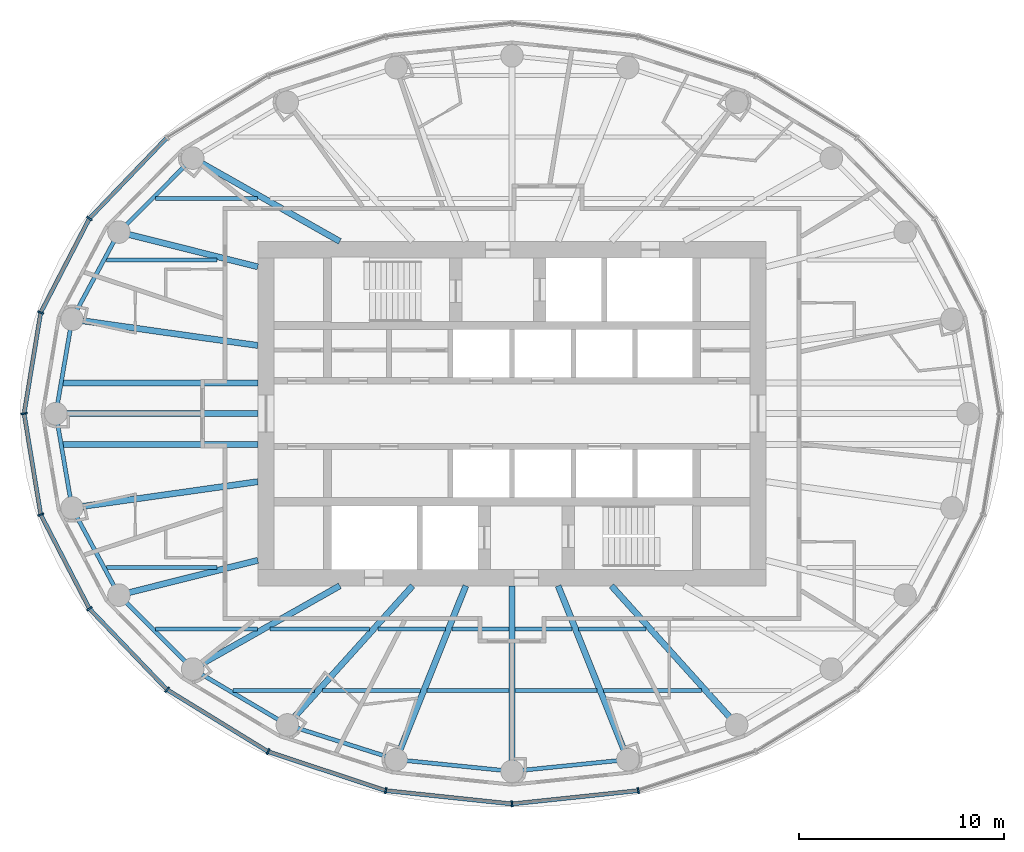
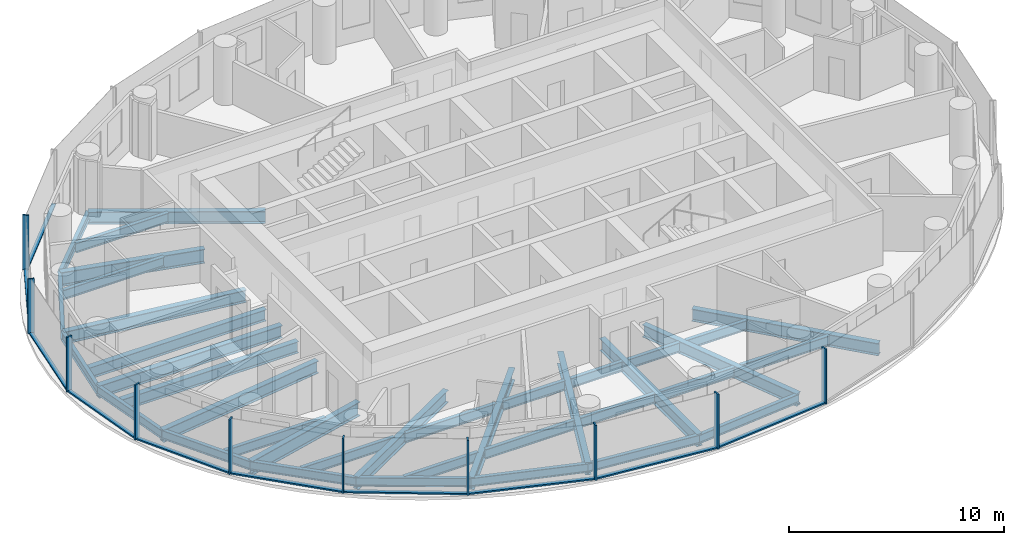
# One storey, part 2 of 13: 38 beams, 20 members, 3 elements without a shape of their own.
"""IFC4 building model written with IfcOpenShell, lengths in metres."""

from ifc_helpers import new_model, si_unit, direction, frame, origin, origin_2d, place, context, subcontext, project, spatial, rectangle, i_section, extrude, material, material_profile, profile_set, type_object, element, aggregate, save


model = new_model("IFC4")

# Units and contexts
model_context = context("Model", 3, precision=1e-05, world=origin(), true_north=direction((0.0, 1.0)))
body_context = subcontext(model_context, "Body", "Model", "MODEL_VIEW")
ifc_project = project(units=[si_unit("LENGTHUNIT", "METRE"), si_unit("AREAUNIT", "SQUARE_METRE"), si_unit("VOLUMEUNIT", "CUBIC_METRE"), si_unit("PLANEANGLEUNIT", "RADIAN"), si_unit("MASSUNIT", "GRAM", prefix="KILO")], contexts=[model_context])

# Site, building, storey
site_placement = place(None, origin())
site = spatial("IfcSite", under=ifc_project, at=site_placement, CompositionType="ELEMENT")
building_placement = place(site_placement, origin())
building = spatial("IfcBuilding", under=site, at=building_placement, Name="Hankou Lantern Tower", CompositionType="ELEMENT")
storey_placement = place(building_placement, frame((0.0, 0.0, 156.60009765625)))
storey = spatial("IfcBuildingStorey", under=building, at=storey_placement, Name="L41", CompositionType="ELEMENT", Elevation=156.60009765625)

# Beams
ifc_material_1 = material(Name="Steel Q355B", Category="steel")
ifc_material_profile_1 = material_profile(ifc_material_1, i_section(OverallWidth=0.199951171875, OverallDepth=0.5, WebThickness=0.010009765625, FlangeThickness=0.01611328125, FilletRadius=0.012939453125, at=origin_2d()), Name="HN500x200x10x16")
ifc_profile_set_1 = profile_set([ifc_material_profile_1], Name="Steel Q355B")
beam_type_1 = type_object("IfcBeamType", Name="EB5 RING BEAM HN500x200x10x16", PredefinedType="SPANDREL", material=ifc_profile_set_1)
beam_1_placement = place(storey_placement, frame((-15.576171875, 12.4609375, -0.43017578125), z_axis=(-0.706147278092, -0.708064984054, 0.0), x_axis=(0.708064984054, -0.706147278092, 0.0)))
element("IfcBeam", 1, at=beam_1_placement, inside=storey, type_object=beam_type_1, Name="Ring beam R10-R11 L41", PredefinedType="SPANDREL", context=body_context, shape_type="SweptSolid", body=[
    extrude(i_section(OverallWidth=0.199951171875, OverallDepth=0.5, WebThickness=0.010009765625, FlangeThickness=0.01611328125, FilletRadius=0.012939453125, at=origin_2d()), origin(), (0.0, 0.0, 1.0), 5.09228515625),
])
beam_2_placement = place(storey_placement, frame((-19.172119140625, 8.855224609375, -0.43017578125), z_axis=(-0.474051612334, -0.880497057828, 0.0), x_axis=(0.880497057828, -0.474051612334, 0.0)))
element("IfcBeam", 2, at=beam_2_placement, inside=storey, type_object=beam_type_1, Name="Ring beam R11-R12 L41", PredefinedType="SPANDREL", context=body_context, shape_type="SweptSolid", body=[
    extrude(i_section(OverallWidth=0.199951171875, OverallDepth=0.5, WebThickness=0.010009765625, FlangeThickness=0.01611328125, FilletRadius=0.012939453125, at=origin_2d()), origin(), (0.0, 0.0, 1.0), 4.831787109375),
])
for number, where, z_axis, x_axis, name in (
    (3, (-21.462646484375, 4.600830078125, -0.43017578125), (-0.168680718946, -0.985670743735, 0.0), (0.985670743735, -0.168680718946, 0.0), "Ring beam R12-R13 L41"),
    (4, (-22.25, 0.0, -0.43017578125), (0.168680718946, -0.985670743735, 0.0), (0.985670743735, 0.168680718946, 0.0), "Ring beam R13-R14 L41"),
):
    element("IfcBeam", number, at=place(storey_placement, frame(where, z_axis=z_axis, x_axis=x_axis)), inside=storey, type_object=beam_type_1, Name=name, PredefinedType="SPANDREL", context=body_context, shape_type="SweptSolid", body=[
        extrude(i_section(OverallWidth=0.199951171875, OverallDepth=0.5, WebThickness=0.010009765625, FlangeThickness=0.01611328125, FilletRadius=0.012939453125, at=origin_2d()), origin(), (0.0, 0.0, 1.0), 4.667724609375),
    ])
beam_3_placement = place(storey_placement, frame((-21.462646484375, -4.600830078125, -0.43017578125), z_axis=(0.474051612334, -0.880497057828, 0.0), x_axis=(0.880497057828, 0.474051612334, 0.0)))
element("IfcBeam", 5, at=beam_3_placement, inside=storey, type_object=beam_type_1, Name="Ring beam R14-R15 L41", PredefinedType="SPANDREL", context=body_context, shape_type="SweptSolid", body=[
    extrude(i_section(OverallWidth=0.199951171875, OverallDepth=0.5, WebThickness=0.010009765625, FlangeThickness=0.01611328125, FilletRadius=0.012939453125, at=origin_2d()), origin(), (0.0, 0.0, 1.0), 4.831787109375),
])
beam_4_placement = place(storey_placement, frame((-19.172119140625, -8.855224609375, -0.43017578125), z_axis=(0.706147278092, -0.708064984054, 0.0), x_axis=(0.708064984054, 0.706147278092, 0.0)))
element("IfcBeam", 6, at=beam_4_placement, inside=storey, type_object=beam_type_1, Name="Ring beam R15-R16 L41", PredefinedType="SPANDREL", context=body_context, shape_type="SweptSolid", body=[
    extrude(i_section(OverallWidth=0.199951171875, OverallDepth=0.5, WebThickness=0.010009765625, FlangeThickness=0.01611328125, FilletRadius=0.012939453125, at=origin_2d()), origin(), (0.0, 0.0, 1.0), 5.09228515625),
])
beam_5_placement = place(storey_placement, frame((-15.576171875, -12.4609375, -0.43017578125), z_axis=(0.861135888339, -0.508374843806, 0.0), x_axis=(0.508374843806, 0.861135888339, 0.0)))
element("IfcBeam", 7, at=beam_5_placement, inside=storey, type_object=beam_type_1, Name="Ring beam R16-R17 L41", PredefinedType="SPANDREL", context=body_context, shape_type="SweptSolid", body=[
    extrude(i_section(OverallWidth=0.199951171875, OverallDepth=0.5, WebThickness=0.010009765625, FlangeThickness=0.01611328125, FilletRadius=0.012939453125, at=origin_2d()), origin(), (0.0, 0.0, 1.0), 5.36083984375),
])
beam_6_placement = place(storey_placement, frame((-10.959716796875, -15.186279296875, -0.43017578125), z_axis=(0.952790404271, -0.30362879562, 0.0), x_axis=(0.30362879562, 0.952790404271, 0.0)))
element("IfcBeam", 8, at=beam_6_placement, inside=storey, type_object=beam_type_1, Name="Ring beam R17-R18 L41", PredefinedType="SPANDREL", context=body_context, shape_type="SweptSolid", body=[
    extrude(i_section(OverallWidth=0.199951171875, OverallDepth=0.5, WebThickness=0.010009765625, FlangeThickness=0.01611328125, FilletRadius=0.012939453125, at=origin_2d()), origin(), (0.0, 0.0, 1.0), 5.56982421875),
])
for number, where, z_axis, x_axis, name in (
    (9, (-5.65283203125, -16.87744140625, -0.43017578125), (0.9949104636, -0.100762936734, 0.0), (0.100762936734, 0.9949104636, 0.0), "Ring beam R18-R19 L41"),
    (10, (0.0, -17.449951171875, -0.43017578125), (0.9949104636, 0.100762936734, 0.0), (-0.100762936734, 0.9949104636, 0.0), "Ring beam R19-R20 L41"),
):
    element("IfcBeam", number, at=place(storey_placement, frame(where, z_axis=z_axis, x_axis=x_axis)), inside=storey, type_object=beam_type_1, Name=name, PredefinedType="SPANDREL", context=body_context, shape_type="SweptSolid", body=[
        extrude(i_section(OverallWidth=0.199951171875, OverallDepth=0.5, WebThickness=0.010009765625, FlangeThickness=0.01611328125, FilletRadius=0.012939453125, at=origin_2d()), origin(), (0.0, 0.0, 1.0), 5.681640625),
    ])

# Curtain wall, members
ifc_material_2 = material(Name="Glass, dark grey tinted laminated", Category="glass")
curtain_wall_type = type_object("IfcCurtainWallType", Name="CWC OUTER SKIN HIGH-RISE", PredefinedType="USERDEFINED", material=ifc_material_2)
curtain_wall_1_placement = place(storey_placement, origin())
curtain_wall_1 = element("IfcCurtainWall", 11, at=curtain_wall_1_placement, inside=storey, type_object=curtain_wall_type, Name="CWC L41 OS2", ObjectType="OUTER SKIN HIGH-RISE", PredefinedType="USERDEFINED")
ifc_material_3 = material(Name="Aluminium, black anodised", Category="aluminium")
ifc_material_profile_2 = material_profile(ifc_material_3, rectangle(XDim=0.080078125, YDim=0.300048828125, at=origin_2d()), Name="MU1 80X300")
ifc_profile_set_2 = profile_set([ifc_material_profile_2], Name="Aluminium, black anodised")
member_type_1 = type_object("IfcMemberType", Name="MU1 OUTER SKIN MULLION 80X300", PredefinedType="MULLION", material=ifc_profile_set_2)
member_1_placement = place(storey_placement, frame((-20.611328125, 9.52001953125, 0.0), z_axis=(0.0, 0.0, 1.0), x_axis=(-0.585205735974, -0.810884854084, 0.0)))
member_1 = element("IfcMember", 12, at=member_1_placement, type_object=member_type_1, Name="CWC mullion 5", PredefinedType="MULLION", context=body_context, shape_type="SweptSolid", body=[
    extrude(rectangle(XDim=0.080078125, YDim=0.300048828125, at=origin_2d()), origin(), (0.0, 0.0, 1.0), 3.119873046875),
])
member_2_placement = place(storey_placement, frame((-22.989013671875, 4.927978515625, 0.0), z_axis=(0.0, 0.0, 1.0), x_axis=(-0.317595577365, -0.94822626479, 0.0)))
member_2 = element("IfcMember", 13, at=member_2_placement, type_object=member_type_1, Name="CWC mullion 6", PredefinedType="MULLION", context=body_context, shape_type="SweptSolid", body=[
    extrude(rectangle(XDim=0.080078125, YDim=0.300048828125, at=origin_2d()), origin(), (0.0, 0.0, 1.0), 3.119873046875),
])

curtain_wall_2_placement = place(storey_placement, origin())
curtain_wall_2 = element("IfcCurtainWall", 14, at=curtain_wall_2_placement, inside=storey, type_object=curtain_wall_type, Name="CWC L41 OS3", ObjectType="OUTER SKIN HIGH-RISE", PredefinedType="USERDEFINED")
member_3_placement = place(storey_placement, frame((-23.800048828125, 0.0, 0.0), z_axis=(0.0, 0.0, 1.0), x_axis=(0.162381515188, -0.986728049427, 0.0)))
member_3 = element("IfcMember", 15, at=member_3_placement, type_object=member_type_1, Name="CWC mullion 1", PredefinedType="MULLION", context=body_context, shape_type="SweptSolid", body=[
    extrude(rectangle(XDim=0.080078125, YDim=0.300048828125, at=origin_2d()), origin(), (0.0, 0.0, 1.0), 3.119873046875),
])
member_4_placement = place(storey_placement, frame((-22.989013671875, -4.927978515625, 0.0), z_axis=(0.0, 0.0, 1.0), x_axis=(0.317595577365, -0.94822626479, 0.0)))
member_4 = element("IfcMember", 16, at=member_4_placement, type_object=member_type_1, Name="CWC mullion 2", PredefinedType="MULLION", context=body_context, shape_type="SweptSolid", body=[
    extrude(rectangle(XDim=0.080078125, YDim=0.300048828125, at=origin_2d()), origin(), (0.0, 0.0, 1.0), 3.119873046875),
])
member_5_placement = place(storey_placement, frame((-20.611328125, -9.52001953125, 0.0), z_axis=(0.0, 0.0, 1.0), x_axis=(0.585205735974, -0.810884854084, 0.0)))
member_5 = element("IfcMember", 17, at=member_5_placement, type_object=member_type_1, Name="CWC mullion 3", PredefinedType="MULLION", context=body_context, shape_type="SweptSolid", body=[
    extrude(rectangle(XDim=0.080078125, YDim=0.300048828125, at=origin_2d()), origin(), (0.0, 0.0, 1.0), 3.119873046875),
])
member_6_placement = place(storey_placement, frame((-16.8291015625, -13.46337890625, 0.0), z_axis=(0.0, 0.0, 1.0), x_axis=(0.780868809444, -0.624695047553, 0.0)))
member_6 = element("IfcMember", 18, at=member_6_placement, type_object=member_type_1, Name="CWC mullion 4", PredefinedType="MULLION", context=body_context, shape_type="SweptSolid", body=[
    extrude(rectangle(XDim=0.080078125, YDim=0.300048828125, at=origin_2d()), origin(), (0.0, 0.0, 1.0), 3.119873046875),
])
member_7_placement = place(storey_placement, frame((-11.89990234375, -16.489013671875, 0.0), z_axis=(0.0, 0.0, 1.0), x_axis=(0.907841299004, -0.419313934686, 0.0)))
member_7 = element("IfcMember", 19, at=member_7_placement, type_object=member_type_1, Name="CWC mullion 5", PredefinedType="MULLION", context=body_context, shape_type="SweptSolid", body=[
    extrude(rectangle(XDim=0.080078125, YDim=0.300048828125, at=origin_2d()), origin(), (0.0, 0.0, 1.0), 3.119873046875),
])
member_8_placement = place(storey_placement, frame((-6.159912109375, -18.39111328125, 0.0), z_axis=(0.0, 0.0, 1.0), x_axis=(0.977787659625, -0.209597931016, 0.0)))
member_8 = element("IfcMember", 20, at=member_8_placement, type_object=member_type_1, Name="CWC mullion 6", PredefinedType="MULLION", context=body_context, shape_type="SweptSolid", body=[
    extrude(rectangle(XDim=0.080078125, YDim=0.300048828125, at=origin_2d()), origin(), (0.0, 0.0, 1.0), 3.119873046875),
])

curtain_wall_3_placement = place(storey_placement, origin())
curtain_wall_3 = element("IfcCurtainWall", 21, at=curtain_wall_3_placement, inside=storey, type_object=curtain_wall_type, Name="CWC L41 OS4", ObjectType="OUTER SKIN HIGH-RISE", PredefinedType="USERDEFINED")
member_9_placement = place(storey_placement, frame((0.0, -19.0400390625, 0.0), z_axis=(0.0, 0.0, 1.0), x_axis=(0.994499359107, 0.104742659579, 0.0)))
member_9 = element("IfcMember", 22, at=member_9_placement, type_object=member_type_1, Name="CWC mullion 1", PredefinedType="MULLION", context=body_context, shape_type="SweptSolid", body=[
    extrude(rectangle(XDim=0.080078125, YDim=0.300048828125, at=origin_2d()), origin(), (0.0, 0.0, 1.0), 3.119873046875),
])
member_10_placement = place(storey_placement, frame((6.159912109375, -18.39111328125, 0.0), z_axis=(0.0, 0.0, 1.0), x_axis=(0.977787659625, 0.209597931016, 0.0)))
member_10 = element("IfcMember", 23, at=member_10_placement, type_object=member_type_1, Name="CWC mullion 2", PredefinedType="MULLION", context=body_context, shape_type="SweptSolid", body=[
    extrude(rectangle(XDim=0.080078125, YDim=0.300048828125, at=origin_2d()), origin(), (0.0, 0.0, 1.0), 3.119873046875),
])

# Beams
ifc_material_4 = material(Name="Steel Q355B", Category="steel")
ifc_material_profile_3 = material_profile(ifc_material_4, i_section(OverallWidth=0.300048828125, OverallDepth=0.800048828125, WebThickness=0.013916015625, FlangeThickness=0.02587890625, FilletRadius=0.01806640625, at=origin_2d()), Name="HN800x300x14x26")
ifc_profile_set_3 = profile_set([ifc_material_profile_3], Name="Steel Q355B")
beam_type_2 = type_object("IfcBeamType", Name="RB11 RADIAL BEAM HN800x300x14x26", PredefinedType="BEAM", material=ifc_profile_set_3)
for number, where, z_axis, x_axis, name in (
    (24, (-12.39990234375, 7.1591796875, -0.580078125), (-0.970041619568, 0.242938791274, 0.0), (-0.242938791274, -0.970041619568, 0.0), "Radial beam R11 L41"),
    (25, (-12.39990234375, -7.1591796875, -0.580078125), (-0.970041619568, -0.242938791274, 0.0), (0.242938791274, -0.970041619568, 0.0), "Radial beam R15 L41"),
):
    element("IfcBeam", number, at=place(storey_placement, frame(where, z_axis=z_axis, x_axis=x_axis)), inside=storey, type_object=beam_type_2, Name=name, PredefinedType="BEAM", context=body_context, shape_type="SweptSolid", body=[
        extrude(i_section(OverallWidth=0.300048828125, OverallDepth=0.800048828125, WebThickness=0.013916015625, FlangeThickness=0.02587890625, FilletRadius=0.01806640625, at=origin_2d()), origin(), (0.0, 0.0, 1.0), 6.9814453125),
    ])
ifc_material_5 = material(Name="Steel Q355B", Category="steel")
ifc_material_profile_4 = material_profile(ifc_material_5, i_section(OverallWidth=0.300048828125, OverallDepth=0.699951171875, WebThickness=0.012939453125, FlangeThickness=0.02392578125, FilletRadius=0.01806640625, at=origin_2d()), Name="HN700x300x13x24")
ifc_profile_set_4 = profile_set([ifc_material_profile_4], Name="Steel Q355B")
beam_type_3 = type_object("IfcBeamType", Name="RB9 RADIAL BEAM HN700x300x13x24", PredefinedType="BEAM", material=ifc_profile_set_4)
beam_7_placement = place(storey_placement, frame((-8.39990234375, 8.39990234375, -0.530029296875), z_axis=(-0.870309058024, 0.492505983234, 0.0), x_axis=(-0.492505983234, -0.870309058024, 0.0)))
element("IfcBeam", 26, at=beam_7_placement, inside=storey, type_object=beam_type_3, Name="Radial beam R10 L41", PredefinedType="BEAM", context=body_context, shape_type="SweptSolid", body=[
    extrude(i_section(OverallWidth=0.300048828125, OverallDepth=0.699951171875, WebThickness=0.012939453125, FlangeThickness=0.02392578125, FilletRadius=0.01806640625, at=origin_2d()), origin(), (0.0, 0.0, 1.0), 8.24560546875),
])
beam_8_placement = place(storey_placement, frame((-12.39990234375, 3.322509765625, -0.530029296875), z_axis=(-0.990198154617, 0.13966966239, 0.0), x_axis=(-0.13966966239, -0.990198154617, 0.0)))
element("IfcBeam", 27, at=beam_8_placement, inside=storey, type_object=beam_type_3, Name="Radial beam R12 L41", PredefinedType="BEAM", context=body_context, shape_type="SweptSolid", body=[
    extrude(i_section(OverallWidth=0.300048828125, OverallDepth=0.699951171875, WebThickness=0.012939453125, FlangeThickness=0.02392578125, FilletRadius=0.01806640625, at=origin_2d()), origin(), (0.0, 0.0, 1.0), 9.15234375),
])
beam_9_placement = place(storey_placement, frame((-12.39990234375, 0.0, -0.530029296875), z_axis=(-1.0, 0.0, 0.0), x_axis=(0.0, -1.0, 0.0)))
element("IfcBeam", 28, at=beam_9_placement, inside=storey, type_object=beam_type_3, Name="Radial beam R13 L41", PredefinedType="BEAM", context=body_context, shape_type="SweptSolid", body=[
    extrude(i_section(OverallWidth=0.300048828125, OverallDepth=0.699951171875, WebThickness=0.012939453125, FlangeThickness=0.02392578125, FilletRadius=0.01806640625, at=origin_2d()), origin(), (0.0, 0.0, 1.0), 9.85009765625),
])
beam_10_placement = place(storey_placement, frame((-12.39990234375, -3.322509765625, -0.530029296875), z_axis=(-0.990198154617, -0.13966966239, 0.0), x_axis=(0.13966966239, -0.990198154617, 0.0)))
element("IfcBeam", 29, at=beam_10_placement, inside=storey, type_object=beam_type_3, Name="Radial beam R14 L41", PredefinedType="BEAM", context=body_context, shape_type="SweptSolid", body=[
    extrude(i_section(OverallWidth=0.300048828125, OverallDepth=0.699951171875, WebThickness=0.012939453125, FlangeThickness=0.02392578125, FilletRadius=0.01806640625, at=origin_2d()), origin(), (0.0, 0.0, 1.0), 9.15234375),
])
beam_11_placement = place(storey_placement, frame((-8.39990234375, -8.39990234375, -0.530029296875), z_axis=(-0.870309058024, -0.492505983234, 0.0), x_axis=(0.492505983234, -0.870309058024, 0.0)))
element("IfcBeam", 30, at=beam_11_placement, inside=storey, type_object=beam_type_3, Name="Radial beam R16 L41", PredefinedType="BEAM", context=body_context, shape_type="SweptSolid", body=[
    extrude(i_section(OverallWidth=0.300048828125, OverallDepth=0.699951171875, WebThickness=0.012939453125, FlangeThickness=0.02392578125, FilletRadius=0.01806640625, at=origin_2d()), origin(), (0.0, 0.0, 1.0), 8.24560546875),
])
beam_12_placement = place(storey_placement, frame((-4.849853515625, -8.39990234375, -0.530029296875), z_axis=(-0.669093231314, -0.743178476418, 0.0), x_axis=(0.743178476418, -0.669093231314, 0.0)))
element("IfcBeam", 31, at=beam_12_placement, inside=storey, type_object=beam_type_3, Name="Radial beam R17 L41", PredefinedType="BEAM", context=body_context, shape_type="SweptSolid", body=[
    extrude(i_section(OverallWidth=0.300048828125, OverallDepth=0.699951171875, WebThickness=0.012939453125, FlangeThickness=0.02392578125, FilletRadius=0.01806640625, at=origin_2d()), origin(), (0.0, 0.0, 1.0), 9.131591796875),
])
beam_13_placement = place(storey_placement, frame((-2.250732421875, -8.39990234375, -0.530029296875), z_axis=(-0.372436468133, -0.928057690666, 0.0), x_axis=(0.928057690666, -0.372436468133, 0.0)))
element("IfcBeam", 32, at=beam_13_placement, inside=storey, type_object=beam_type_3, Name="Radial beam R18 L41", PredefinedType="BEAM", context=body_context, shape_type="SweptSolid", body=[
    extrude(i_section(OverallWidth=0.300048828125, OverallDepth=0.699951171875, WebThickness=0.012939453125, FlangeThickness=0.02392578125, FilletRadius=0.01806640625, at=origin_2d()), origin(), (0.0, 0.0, 1.0), 9.134765625),
])
beam_14_placement = place(storey_placement, frame((0.0, -8.39990234375, -0.530029296875), z_axis=(0.0, -1.0, 0.0), x_axis=(1.0, 0.0, 0.0)))
element("IfcBeam", 33, at=beam_14_placement, inside=storey, type_object=beam_type_3, Name="Radial beam R19 L41", PredefinedType="BEAM", context=body_context, shape_type="SweptSolid", body=[
    extrude(i_section(OverallWidth=0.300048828125, OverallDepth=0.699951171875, WebThickness=0.012939453125, FlangeThickness=0.02392578125, FilletRadius=0.01806640625, at=origin_2d()), origin(), (0.0, 0.0, 1.0), 9.050048828125),
])
beam_15_placement = place(storey_placement, frame((2.250732421875, -8.39990234375, -0.530029296875), z_axis=(0.372436468133, -0.928057690666, 0.0), x_axis=(0.928057690666, 0.372436468133, 0.0)))
element("IfcBeam", 34, at=beam_15_placement, inside=storey, type_object=beam_type_3, Name="Radial beam R20 L41", PredefinedType="BEAM", context=body_context, shape_type="SweptSolid", body=[
    extrude(i_section(OverallWidth=0.300048828125, OverallDepth=0.699951171875, WebThickness=0.012939453125, FlangeThickness=0.02392578125, FilletRadius=0.01806640625, at=origin_2d()), origin(), (0.0, 0.0, 1.0), 9.134765625),
])
beam_16_placement = place(storey_placement, frame((4.849853515625, -8.39990234375, -0.530029296875), z_axis=(0.669093231314, -0.743178476418, 0.0), x_axis=(0.743178476418, 0.669093231314, 0.0)))
element("IfcBeam", 35, at=beam_16_placement, inside=storey, type_object=beam_type_3, Name="Radial beam R21 L41", PredefinedType="BEAM", context=body_context, shape_type="SweptSolid", body=[
    extrude(i_section(OverallWidth=0.300048828125, OverallDepth=0.699951171875, WebThickness=0.012939453125, FlangeThickness=0.02392578125, FilletRadius=0.01806640625, at=origin_2d()), origin(), (0.0, 0.0, 1.0), 9.131591796875),
])
ifc_material_6 = material(Name="Steel Q355B", Category="steel")
ifc_material_profile_5 = material_profile(ifc_material_6, i_section(OverallWidth=0.199951171875, OverallDepth=0.550048828125, WebThickness=0.010009765625, FlangeThickness=0.01611328125, FilletRadius=0.012939453125, at=origin_2d()), Name="HN550x200x10x16")
ifc_profile_set_5 = profile_set([ifc_material_profile_5], Name="Steel Q355B")
beam_type_4 = type_object("IfcBeamType", Name="SB6 SECONDARY BEAM HN550x200x10x16", PredefinedType="JOIST", material=ifc_profile_set_5)
beam_17_placement = place(storey_placement, frame((-13.619384765625, -13.5, -0.455078125), z_axis=(1.0, 0.0, 0.0), x_axis=(0.0, 1.0, 0.0)))
element("IfcBeam", 36, at=beam_17_placement, inside=storey, type_object=beam_type_4, Name="Floor joist J001 L41", PredefinedType="JOIST", context=body_context, shape_type="SweptSolid", body=[
    extrude(i_section(OverallWidth=0.199951171875, OverallDepth=0.550048828125, WebThickness=0.010009765625, FlangeThickness=0.01611328125, FilletRadius=0.012939453125, at=origin_2d()), origin(), (0.0, 0.0, 1.0), 3.97607421875),
])
beam_18_placement = place(storey_placement, frame((-9.23974609375, -13.5, -0.455078125), z_axis=(1.0, 0.0, 0.0), x_axis=(0.0, 1.0, 0.0)))
element("IfcBeam", 37, at=beam_18_placement, inside=storey, type_object=beam_type_4, Name="Floor joist J002 L41", PredefinedType="JOIST", context=body_context, shape_type="SweptSolid", body=[
    extrude(i_section(OverallWidth=0.199951171875, OverallDepth=0.550048828125, WebThickness=0.010009765625, FlangeThickness=0.01611328125, FilletRadius=0.012939453125, at=origin_2d()), origin(), (0.0, 0.0, 1.0), 4.780517578125),
])
for number, where, z_axis, x_axis, name in (
    (38, (-4.135986328125, -13.5, -0.455078125), (1.0, 0.0, 0.0), (0.0, 1.0, 0.0), "Floor joist J003 L41"),
    (39, (0.14990234375, -13.5, -0.455078125), (1.0, 0.0, 0.0), (0.0, 1.0, 0.0), "Floor joist J004 L41"),
):
    element("IfcBeam", number, at=place(storey_placement, frame(where, z_axis=z_axis, x_axis=x_axis)), inside=storey, type_object=beam_type_4, Name=name, PredefinedType="JOIST", context=body_context, shape_type="SweptSolid", body=[
        extrude(i_section(OverallWidth=0.199951171875, OverallDepth=0.550048828125, WebThickness=0.010009765625, FlangeThickness=0.01611328125, FilletRadius=0.012939453125, at=origin_2d()), origin(), (0.0, 0.0, 1.0), 3.986083984375),
    ])
beam_19_placement = place(storey_placement, frame((4.459228515625, -13.5, -0.455078125), z_axis=(1.0, 0.0, 0.0), x_axis=(0.0, 1.0, 0.0)))
element("IfcBeam", 40, at=beam_19_placement, inside=storey, type_object=beam_type_4, Name="Floor joist J005 L41", PredefinedType="JOIST", context=body_context, shape_type="SweptSolid", body=[
    extrude(i_section(OverallWidth=0.199951171875, OverallDepth=0.550048828125, WebThickness=0.010009765625, FlangeThickness=0.01611328125, FilletRadius=0.012939453125, at=origin_2d()), origin(), (0.0, 0.0, 1.0), 4.780517578125),
])
beam_20_placement = place(storey_placement, frame((-17.390625, -10.5, -0.455078125), z_axis=(1.0, 0.0, 0.0), x_axis=(0.0, 1.0, 0.0)))
element("IfcBeam", 41, at=beam_20_placement, inside=storey, type_object=beam_type_4, Name="Floor joist J007 L41", PredefinedType="JOIST", context=body_context, shape_type="SweptSolid", body=[
    extrude(i_section(OverallWidth=0.199951171875, OverallDepth=0.550048828125, WebThickness=0.010009765625, FlangeThickness=0.01611328125, FilletRadius=0.012939453125, at=origin_2d()), origin(), (0.0, 0.0, 1.0), 4.97509765625),
])
beam_21_placement = place(storey_placement, frame((-11.806396484375, -10.5, -0.455078125), z_axis=(1.0, 0.0, 0.0), x_axis=(0.0, 1.0, 0.0)))
element("IfcBeam", 42, at=beam_21_placement, inside=storey, type_object=beam_type_4, Name="Floor joist J008 L41", PredefinedType="JOIST", context=body_context, shape_type="SweptSolid", body=[
    extrude(i_section(OverallWidth=0.199951171875, OverallDepth=0.550048828125, WebThickness=0.010009765625, FlangeThickness=0.01611328125, FilletRadius=0.012939453125, at=origin_2d()), origin(), (0.0, 0.0, 1.0), 4.864013671875),
])
beam_22_placement = place(storey_placement, frame((-6.53857421875, -10.5, -0.455078125), z_axis=(1.0, 0.0, 0.0), x_axis=(0.0, 1.0, 0.0)))
element("IfcBeam", 43, at=beam_22_placement, inside=storey, type_object=beam_type_4, Name="Floor joist J009 L41", PredefinedType="JOIST", context=body_context, shape_type="SweptSolid", body=[
    extrude(i_section(OverallWidth=0.199951171875, OverallDepth=0.550048828125, WebThickness=0.010009765625, FlangeThickness=0.01611328125, FilletRadius=0.012939453125, at=origin_2d()), origin(), (0.0, 0.0, 1.0), 3.283447265625),
])
for number, where, z_axis, x_axis, name in (
    (44, (-2.931884765625, -10.5, -0.455078125), (1.0, 0.0, 0.0), (0.0, 1.0, 0.0), "Floor joist J010 L41"),
    (45, (0.14990234375, -10.5, -0.455078125), (1.0, 0.0, 0.0), (0.0, 1.0, 0.0), "Floor joist J011 L41"),
):
    element("IfcBeam", number, at=place(storey_placement, frame(where, z_axis=z_axis, x_axis=x_axis)), inside=storey, type_object=beam_type_4, Name=name, PredefinedType="JOIST", context=body_context, shape_type="SweptSolid", body=[
        extrude(i_section(OverallWidth=0.199951171875, OverallDepth=0.550048828125, WebThickness=0.010009765625, FlangeThickness=0.01611328125, FilletRadius=0.012939453125, at=origin_2d()), origin(), (0.0, 0.0, 1.0), 2.781982421875),
    ])
beam_23_placement = place(storey_placement, frame((3.255126953125, -10.5, -0.455078125), z_axis=(1.0, 0.0, 0.0), x_axis=(0.0, 1.0, 0.0)))
element("IfcBeam", 46, at=beam_23_placement, inside=storey, type_object=beam_type_4, Name="Floor joist J012 L41", PredefinedType="JOIST", context=body_context, shape_type="SweptSolid", body=[
    extrude(i_section(OverallWidth=0.199951171875, OverallDepth=0.550048828125, WebThickness=0.010009765625, FlangeThickness=0.01611328125, FilletRadius=0.012939453125, at=origin_2d()), origin(), (0.0, 0.0, 1.0), 3.283447265625),
])
for number, where, z_axis, x_axis, name in (
    (47, (-19.788330078125, -7.5, -0.455078125), (1.0, 0.0, 0.0), (0.0, 1.0, 0.0), "Floor joist J015 L41"),
    (48, (-19.788330078125, 7.5, -0.455078125), (1.0, 0.0, 0.0), (0.0, 1.0, 0.0), "Floor joist J025 L41"),
):
    element("IfcBeam", number, at=place(storey_placement, frame(where, z_axis=z_axis, x_axis=x_axis)), inside=storey, type_object=beam_type_4, Name=name, PredefinedType="JOIST", context=body_context, shape_type="SweptSolid", body=[
        extrude(i_section(OverallWidth=0.199951171875, OverallDepth=0.550048828125, WebThickness=0.010009765625, FlangeThickness=0.01611328125, FilletRadius=0.012939453125, at=origin_2d()), origin(), (0.0, 0.0, 1.0), 5.409912109375),
    ])
beam_24_placement = place(storey_placement, frame((-17.390625, 10.5, -0.455078125), z_axis=(1.0, 0.0, 0.0), x_axis=(0.0, 1.0, 0.0)))
element("IfcBeam", 49, at=beam_24_placement, inside=storey, type_object=beam_type_4, Name="Floor joist J027 L41", PredefinedType="JOIST", context=body_context, shape_type="SweptSolid", body=[
    extrude(i_section(OverallWidth=0.199951171875, OverallDepth=0.550048828125, WebThickness=0.010009765625, FlangeThickness=0.01611328125, FilletRadius=0.012939453125, at=origin_2d()), origin(), (0.0, 0.0, 1.0), 4.97509765625),
])
ifc_material_7 = material(Name="Steel Q355B", Category="steel")
ifc_material_profile_6 = material_profile(ifc_material_7, i_section(OverallWidth=0.300048828125, OverallDepth=0.64990234375, WebThickness=0.010986328125, FlangeThickness=0.01708984375, FilletRadius=0.01806640625, at=origin_2d()), Name="HN650x300x11x17")
ifc_profile_set_6 = profile_set([ifc_material_profile_6], Name="Steel Q355B")
beam_type_5 = type_object("IfcBeamType", Name="SB8 SECONDARY BEAM HN650x300x11x17", PredefinedType="JOIST", material=ifc_profile_set_6)
for number, where, z_axis, x_axis, name in (
    (50, (-21.891845703125, -1.5, -0.505126953125), (1.0, 0.0, 0.0), (0.0, 1.0, 0.0), "Floor joist J019 L41"),
    (51, (-21.891845703125, 1.5, -0.505126953125), (1.0, 0.0, 0.0), (0.0, 1.0, 0.0), "Floor joist J021 L41"),
):
    element("IfcBeam", number, at=place(storey_placement, frame(where, z_axis=z_axis, x_axis=x_axis)), inside=storey, type_object=beam_type_5, Name=name, PredefinedType="JOIST", context=body_context, shape_type="SweptSolid", body=[
        extrude(i_section(OverallWidth=0.300048828125, OverallDepth=0.64990234375, WebThickness=0.010986328125, FlangeThickness=0.01708984375, FilletRadius=0.01806640625, at=origin_2d()), origin(), (0.0, 0.0, 1.0), 9.491943359375),
    ])

# Member
ifc_material_8 = material(Name="Aluminium, black anodised", Category="aluminium")
ifc_material_profile_7 = material_profile(ifc_material_8, rectangle(XDim=0.199951171875, YDim=0.080078125, at=origin_2d()), Name="TR1 200X80")
ifc_profile_set_7 = profile_set([ifc_material_profile_7], Name="Aluminium, black anodised")
member_type_2 = type_object("IfcMemberType", Name="TR1 OUTER SKIN TRANSOM 200X80", PredefinedType="USERDEFINED", material=ifc_profile_set_7)
member_11_placement = place(storey_placement, frame((-16.85693359375, 13.434326171875, 0.039794921875), z_axis=(-0.692215543831, -0.721690820836, 0.0), x_axis=(0.721690820836, -0.692215543831, 0.0)))
member_11 = element("IfcMember", 52, at=member_11_placement, type_object=member_type_2, Name="CWC transom 4", ObjectType="TRANSOM", PredefinedType="USERDEFINED", context=body_context, shape_type="SweptSolid", body=[
    extrude(rectangle(XDim=0.199951171875, YDim=0.080078125, at=origin_2d()), origin(), (0.0, 0.0, 1.0), 5.3837890625),
])

member_12_placement = place(storey_placement, frame((-20.6298828125, 9.484375, 0.039794921875), z_axis=(-0.459790772977, -0.888027277219, 0.0), x_axis=(0.888027277219, -0.459790772977, 0.0)))
member_12 = element("IfcMember", 53, at=member_12_placement, type_object=member_type_2, Name="CWC transom 5", ObjectType="TRANSOM", PredefinedType="USERDEFINED", context=body_context, shape_type="SweptSolid", body=[
    extrude(rectangle(XDim=0.199951171875, YDim=0.080078125, at=origin_2d()), origin(), (0.0, 0.0, 1.0), 5.091064453125),
])

member_13_placement = place(storey_placement, frame((-22.99560546875, 4.888427734375, 0.039794921875), z_axis=(-0.162360337061, -0.986731534385, 0.0), x_axis=(0.986731534385, -0.162360337061, 0.0)))
member_13 = element("IfcMember", 54, at=member_13_placement, type_object=member_type_2, Name="CWC transom 6", ObjectType="TRANSOM", PredefinedType="USERDEFINED", context=body_context, shape_type="SweptSolid", body=[
    extrude(rectangle(XDim=0.199951171875, YDim=0.080078125, at=origin_2d()), origin(), (0.0, 0.0, 1.0), 4.9140625),
])

aggregate(curtain_wall_1, [member_1, member_2, member_11, member_12, member_13])

member_14_placement = place(storey_placement, frame((-23.79345703125, -0.03955078125, 0.039794921875), z_axis=(0.162360337061, -0.986731534385, 0.0), x_axis=(0.986731534385, 0.162360337061, 0.0)))
member_14 = element("IfcMember", 55, at=member_14_placement, type_object=member_type_2, Name="CWC transom 1", ObjectType="TRANSOM", PredefinedType="USERDEFINED", context=body_context, shape_type="SweptSolid", body=[
    extrude(rectangle(XDim=0.199951171875, YDim=0.080078125, at=origin_2d()), origin(), (0.0, 0.0, 1.0), 4.9140625),
])

member_15_placement = place(storey_placement, frame((-22.970703125, -4.96337890625, 0.039794921875), z_axis=(0.459790772977, -0.888027277219, 0.0), x_axis=(0.888027277219, 0.459790772977, 0.0)))
member_15 = element("IfcMember", 56, at=member_15_placement, type_object=member_type_2, Name="CWC transom 2", ObjectType="TRANSOM", PredefinedType="USERDEFINED", context=body_context, shape_type="SweptSolid", body=[
    extrude(rectangle(XDim=0.199951171875, YDim=0.080078125, at=origin_2d()), origin(), (0.0, 0.0, 1.0), 5.091064453125),
])

member_16_placement = place(storey_placement, frame((-20.583740234375, -9.548828125, 0.039794921875), z_axis=(0.692215543831, -0.721690820836, 0.0), x_axis=(0.721690820836, 0.692215543831, 0.0)))
member_16 = element("IfcMember", 57, at=member_16_placement, type_object=member_type_2, Name="CWC transom 3", ObjectType="TRANSOM", PredefinedType="USERDEFINED", context=body_context, shape_type="SweptSolid", body=[
    extrude(rectangle(XDim=0.199951171875, YDim=0.080078125, at=origin_2d()), origin(), (0.0, 0.0, 1.0), 5.3837890625),
])

member_17_placement = place(storey_placement, frame((-16.795166015625, -13.484130859375, 0.039794921875), z_axis=(0.852229482357, -0.523168146394, 0.0), x_axis=(0.523168146394, 0.852229482357, 0.0)))
member_17 = element("IfcMember", 58, at=member_17_placement, type_object=member_type_2, Name="CWC transom 4", ObjectType="TRANSOM", PredefinedType="USERDEFINED", context=body_context, shape_type="SweptSolid", body=[
    extrude(rectangle(XDim=0.199951171875, YDim=0.080078125, at=origin_2d()), origin(), (0.0, 0.0, 1.0), 5.703857421875),
])

member_18_placement = place(storey_placement, frame((-11.862060546875, -16.501708984375, 0.039794921875), z_axis=(0.949242327551, -0.314545709849, 0.0), x_axis=(0.314545709849, 0.949242327551, 0.0)))
member_18 = element("IfcMember", 59, at=member_18_placement, type_object=member_type_2, Name="CWC transom 5", ObjectType="TRANSOM", PredefinedType="USERDEFINED", context=body_context, shape_type="SweptSolid", body=[
    extrude(rectangle(XDim=0.199951171875, YDim=0.080078125, at=origin_2d()), origin(), (0.0, 0.0, 1.0), 5.96728515625),
])

member_19_placement = place(storey_placement, frame((-6.1201171875, -18.3955078125, 0.039794921875), z_axis=(0.994499543631, -0.104740907567, 0.0), x_axis=(0.104740907567, 0.994499543631, 0.0)))
member_19 = element("IfcMember", 60, at=member_19_placement, type_object=member_type_2, Name="CWC transom 6", ObjectType="TRANSOM", PredefinedType="USERDEFINED", context=body_context, shape_type="SweptSolid", body=[
    extrude(rectangle(XDim=0.199951171875, YDim=0.080078125, at=origin_2d()), origin(), (0.0, 0.0, 1.0), 6.114013671875),
])

aggregate(curtain_wall_2, [member_3, member_4, member_5, member_6, member_7, member_8, member_14, member_15, member_16, member_17, member_18, member_19])

member_20_placement = place(storey_placement, frame((0.039794921875, -19.035888671875, 0.039794921875), z_axis=(0.994499543631, 0.104740907567, 0.0), x_axis=(-0.104740907567, 0.994499543631, 0.0)))
member_20 = element("IfcMember", 61, at=member_20_placement, type_object=member_type_2, Name="CWC transom 1", ObjectType="TRANSOM", PredefinedType="USERDEFINED", context=body_context, shape_type="SweptSolid", body=[
    extrude(rectangle(XDim=0.199951171875, YDim=0.080078125, at=origin_2d()), origin(), (0.0, 0.0, 1.0), 6.114013671875),
])

aggregate(curtain_wall_3, [member_9, member_10, member_20])

save(model, "model.ifc")
